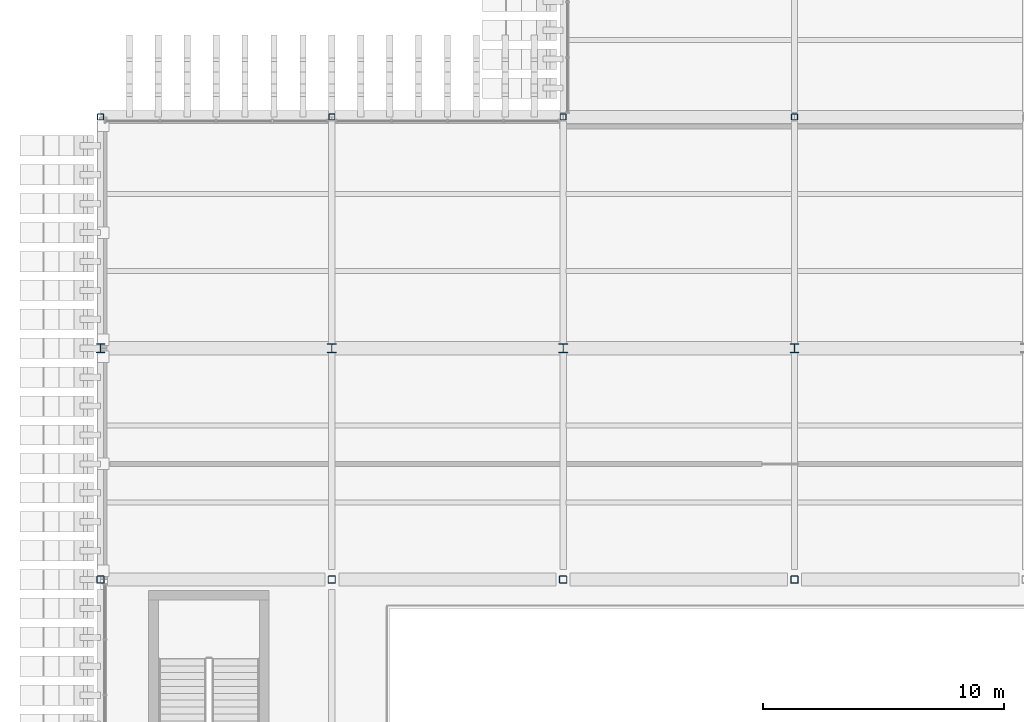
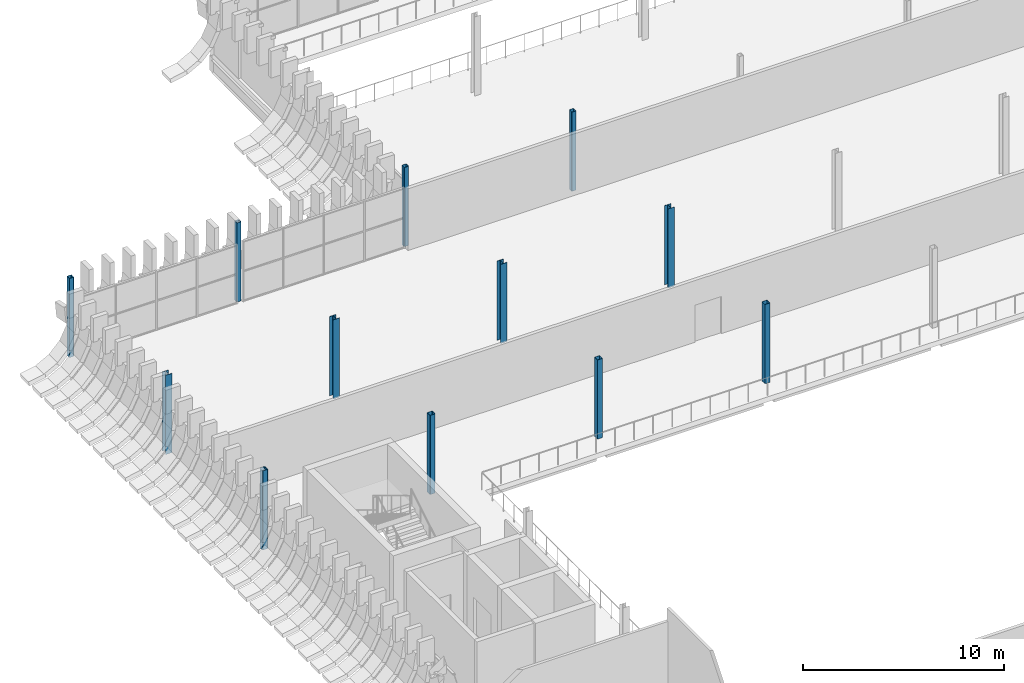
# One storey, part 6 of 100: 12 columns.
"""IFC4 building model written with IfcOpenShell, lengths in metres."""

import ifcopenshell
import ifcopenshell.guid

model = None  # the IFC model being written
_history = None  # IfcOwnerHistory: only IFC2X3 demands one
_inside = {}  # id of a spatial element -> (the spatial element, [elements in it])
_under = {}  # id of a project, library or spatial element -> (it, [spatial elements below it])
_declared = {}  # id of a project -> (the project, [libraries it declares])
_typed = {}  # id of a type object -> (the type object, [elements of that type])
_made_of = {}  # id of a material, layer set ... -> (it, [elements and type objects made of it])


def new_model(schema):
    """Start an empty IFC model of exactly this schema.

    Asked for "IFC4X3", IfcOpenShell would pick the latest addendum, in which some entities
    have other attributes; the version numbers below select the first issue.
    IFC2X3 requires an IfcOwnerHistory on every rooted entity: one is made here for all.
    """
    global model, _history
    if schema == "IFC4X3":
        model = ifcopenshell.file(schema_version=(4, 3, 0, 0))
    else:
        model = ifcopenshell.file(schema=schema)
    _inside.clear()
    _under.clear()
    _declared.clear()
    _typed.clear()
    _made_of.clear()
    _history = None
    if model.schema == "IFC2X3":
        org = make("IfcOrganization", Name="unknown")
        user = make(
            "IfcPersonAndOrganization",
            ThePerson=make("IfcPerson", FamilyName="unknown"),
            TheOrganization=org,
        )
        app = make(
            "IfcApplication",
            ApplicationDeveloper=org,
            Version="unknown",
            ApplicationFullName="unknown",
            ApplicationIdentifier="unknown",
        )
        _history = make(
            "IfcOwnerHistory",
            OwningUser=user,
            OwningApplication=app,
            ChangeAction="ADDED",
            CreationDate=0,
        )
    return model


def make(cls, **values):
    """One entity of the class cls with the attributes given. An attribute that is None is left unset."""
    return model.create_entity(
        cls, **{name: value for name, value in values.items() if value is not None}
    )


def rooted(cls, **values):
    """An entity with a GlobalId (a new one), such as an element, a storey or a relation."""
    return make(cls, GlobalId=ifcopenshell.guid.new(), OwnerHistory=_history, **values)


def si_unit(unit_type, name, prefix=None):
    """IfcSIUnit, for example si_unit("LENGTHUNIT", "METRE", prefix="MILLI")."""
    return make("IfcSIUnit", UnitType=unit_type, Prefix=prefix, Name=name)


def assignment(units):
    """IfcUnitAssignment: the units of a project."""
    return None if units is None else make("IfcUnitAssignment", Units=units)


def point(xyz):
    """IfcCartesianPoint."""
    return None if xyz is None else make("IfcCartesianPoint", Coordinates=xyz)


def direction(xyz):
    """IfcDirection."""
    return None if xyz is None else make("IfcDirection", DirectionRatios=xyz)


def frame(location, z_axis=None, x_axis=None):
    """IfcAxis2Placement3D, a coordinate frame: its origin and axes. An axis left out is left unset."""
    return make(
        "IfcAxis2Placement3D",
        Location=point(location),
        Axis=direction(z_axis),
        RefDirection=direction(x_axis),
    )


def frame_2d(location, x_axis=None):
    """IfcAxis2Placement2D, a coordinate frame in the plane: its origin and x axis."""
    return make(
        "IfcAxis2Placement2D", Location=point(location), RefDirection=direction(x_axis)
    )


def origin():
    """The frame at (0, 0, 0) with its axes left unset."""
    return frame((0.0, 0.0, 0.0))


def origin_2d():
    """The frame at (0, 0) in the plane with its x axis left unset."""
    return frame_2d((0.0, 0.0))


def place(relative_to, where):
    """IfcLocalPlacement: puts the frame where relative to a parent placement (None: the world)."""
    return make(
        "IfcLocalPlacement", PlacementRelTo=relative_to, RelativePlacement=where
    )


def context(
    kind, dimensions, precision=None, world=None, true_north=None, identifier=None
):
    """IfcGeometricRepresentationContext, for example the 3D "Model" context."""
    return make(
        "IfcGeometricRepresentationContext",
        ContextIdentifier=identifier,
        ContextType=kind,
        CoordinateSpaceDimension=dimensions,
        Precision=precision,
        WorldCoordinateSystem=world,
        TrueNorth=true_north,
    )


def subcontext(parent, identifier, kind, view, scale=None):
    """IfcGeometricRepresentationSubContext, for example "Body" below "Model"."""
    return make(
        "IfcGeometricRepresentationSubContext",
        ContextIdentifier=identifier,
        ContextType=kind,
        ParentContext=parent,
        TargetScale=scale,
        TargetView=view,
    )


def project(units=None, contexts=None):
    """IfcProject with its units and contexts."""
    return rooted(
        "IfcProject",
        Name="project",
        RepresentationContexts=contexts,
        UnitsInContext=assignment(units),
    )


def spatial(cls, under=None, at=None, **own):
    """A site, building, storey or space (cls), placed at a placement, below another one or the project."""
    s = rooted(cls, ObjectPlacement=at, **own)
    if under is not None:
        _under.setdefault(under.id(), (under, []))[1].append(s)
    return s


def profile(cls, at=None, kind="AREA", **sizes):
    """A parametric profile (cls). Its sizes go by their IFC names, for example OverallWidth=200.0."""
    return make(cls, ProfileType=kind, Position=at, **sizes)


def hollow_rectangle(**sizes):
    """IfcRectangleHollowProfileDef."""
    return profile("IfcRectangleHollowProfileDef", **sizes)


def i_section(**sizes):
    """IfcIShapeProfileDef."""
    return profile("IfcIShapeProfileDef", **sizes)


def extrude(swept, where, along, depth):
    """IfcExtrudedAreaSolid: the profile swept, set in the frame where, extruded along a direction by depth."""
    return make(
        "IfcExtrudedAreaSolid",
        SweptArea=swept,
        Position=where,
        ExtrudedDirection=direction(along),
        Depth=depth,
    )


def shape(context_of_items, identifier, shape_type, items):
    """IfcShapeRepresentation: the items that make up one representation, for example the "Body"."""
    return make(
        "IfcShapeRepresentation",
        ContextOfItems=context_of_items,
        RepresentationIdentifier=identifier,
        RepresentationType=shape_type,
        Items=items,
    )


def material(Name=None, Category=None):
    """IfcMaterial."""
    return make("IfcMaterial", Name=Name, Category=Category)


def material_profile(
    of_material, cross_section, Name=None, Category=None, Priority=None
):
    """IfcMaterialProfile: a cross section and its material."""
    return make(
        "IfcMaterialProfile",
        Name=Name,
        Material=of_material,
        Profile=cross_section,
        Priority=Priority,
        Category=Category,
    )


def profile_set(profiles, Name=None, composite=None):
    """IfcMaterialProfileSet."""
    return make(
        "IfcMaterialProfileSet",
        Name=Name,
        MaterialProfiles=profiles,
        CompositeProfile=composite,
    )


def made_of(thing, what):
    """Note that an element or type object is made of a material, layer set ...; save() writes the relation."""
    if what is not None:
        _made_of.setdefault(what.id(), (what, []))[1].append(thing)
    return thing


def type_object(cls, material=None, **own):
    """A type object (cls), such as IfcWallType, which elements share."""
    return made_of(rooted(cls, **own), material)


def element(
    cls,
    number,
    at=None,
    inside=None,
    cuts=None,
    type_object=None,
    material=None,
    context=None,
    identifier="Body",
    shape_type=None,
    held_by="IfcProductDefinitionShape",
    body=None,
    shapes=None,
    **own,
):
    """One element of the class cls, such as IfcWall. Its Tag is "e" and its number.

    at: its placement. inside: the storey or other place that contains it. cuts: it is an
    opening in that element (IfcRelVoidsElement). A single representation is given by context,
    identifier, shape_type and body (its items); several are given by shapes. held_by: the class
    of the entity that holds the representations. save() writes the other relations.
    """
    e = rooted(cls, Tag="e%d" % number, ObjectPlacement=at, **own)
    if body is not None:
        shapes = [shape(context, identifier, shape_type, body)]
    if shapes is not None:
        e.Representation = make(held_by, Representations=shapes)
    if inside is not None:
        _inside.setdefault(inside.id(), (inside, []))[1].append(e)
    if cuts is not None:
        rooted(
            "IfcRelVoidsElement", RelatingBuildingElement=cuts, RelatedOpeningElement=e
        )
    if type_object is not None:
        _typed.setdefault(type_object.id(), (type_object, []))[1].append(e)
    return made_of(e, material)


def aggregate(whole, parts):
    """IfcRelAggregates: a whole, such as a stair, and the parts it consists of."""
    return rooted("IfcRelAggregates", RelatingObject=whole, RelatedObjects=parts)


def save(model, path):
    """Write the relations noted so far, then the file.

    IfcRelAggregates (storeys below a building ...), IfcRelContainedInSpatialStructure (elements
    in a storey), IfcRelDefinesByType, IfcRelAssociatesMaterial and IfcRelDeclares: one each for
    every whole, place, type object, material and project.
    """
    for whole, parts in _under.values():
        aggregate(whole, parts)
    for where, things in _inside.values():
        rooted(
            "IfcRelContainedInSpatialStructure",
            RelatedElements=things,
            RelatingStructure=where,
        )
    for kind, things in _typed.values():
        rooted("IfcRelDefinesByType", RelatedObjects=things, RelatingType=kind)
    for what, things in _made_of.values():
        rooted("IfcRelAssociatesMaterial", RelatedObjects=things, RelatingMaterial=what)
    for by, libraries in _declared.values():
        rooted("IfcRelDeclares", RelatingContext=by, RelatedDefinitions=libraries)
    model.write(path)


model = new_model("IFC4")

# Units and contexts
model_context = context("Model", 3, precision=1e-05, world=origin(), true_north=direction((0.0, 1.0)))
body_context = subcontext(model_context, "Body", "Model", "MODEL_VIEW")
ifc_project = project(units=[si_unit("LENGTHUNIT", "METRE"), si_unit("AREAUNIT", "SQUARE_METRE"), si_unit("VOLUMEUNIT", "CUBIC_METRE"), si_unit("PLANEANGLEUNIT", "RADIAN"), si_unit("MASSUNIT", "GRAM", prefix="KILO")], contexts=[model_context])

# Site, building, storey
site_placement = place(None, origin())
site = spatial("IfcSite", under=ifc_project, at=site_placement, CompositionType="ELEMENT")
building_placement = place(site_placement, origin())
building = spatial("IfcBuilding", under=site, at=building_placement, Name="Caelomonte Colonnade Arena", CompositionType="ELEMENT")
storey_placement = place(building_placement, origin())
storey = spatial("IfcBuildingStorey", under=building, at=storey_placement, Name="L00", CompositionType="ELEMENT", Elevation=0.0)

# Columns
ifc_material_1 = material(Name="Steel ASTM A500 Grade C", Category="steel")
ifc_material_profile_1 = material_profile(ifc_material_1, hollow_rectangle(XDim=0.25390625, YDim=0.25390625, WallThickness=0.0126953125, InnerFilletRadius=0.0126953125, OuterFilletRadius=0.025390625, at=origin_2d()), Name="HSS254X254X12.7")
ifc_profile_set_1 = profile_set([ifc_material_profile_1], Name="Steel ASTM A500 Grade C")
column_type_1 = type_object("IfcColumnType", Name="STR-COL-HSS25", PredefinedType="COLUMN", material=ifc_profile_set_1)
for number, where, z_axis, x_axis, name in (
    (1, (0.0, 86.39990234375, 0.0), (0.0, 0.0, 1.0), (1.0, 0.0, 0.0), "L00 column (0.0, 86.4)"),
    (2, (9.60009765625, 86.39990234375, 0.0), (0.0, 0.0, 1.0), (1.0, 0.0, 0.0), "L00 column (9.6, 86.4)"),
    (3, (19.199951171875, 86.39990234375, 0.0), (0.0, 0.0, 1.0), (1.0, 0.0, 0.0), "L00 column (19.2, 86.4)"),
    (4, (28.800048828125, 86.39990234375, 0.0), (0.0, 0.0, 1.0), (1.0, 0.0, 0.0), "L00 column (28.8, 86.4)"),
):
    element("IfcColumn", number, at=place(storey_placement, frame(where, z_axis=z_axis, x_axis=x_axis)), inside=storey, type_object=column_type_1, Name=name, PredefinedType="COLUMN", context=body_context, shape_type="SweptSolid", body=[
        extrude(hollow_rectangle(XDim=0.25390625, YDim=0.25390625, WallThickness=0.0126953125, InnerFilletRadius=0.0126953125, OuterFilletRadius=0.025390625, at=origin_2d()), origin(), (0.0, 0.0, 1.0), 4.800048828125),
    ])
ifc_material_profile_2 = material_profile(ifc_material_1, hollow_rectangle(XDim=0.3046875, YDim=0.3046875, WallThickness=0.0126953125, InnerFilletRadius=0.0126953125, OuterFilletRadius=0.025390625, at=origin_2d()), Name="HSS305X305X12.7")
ifc_profile_set_2 = profile_set([ifc_material_profile_2], Name="Steel ASTM A500 Grade C")
column_type_2 = type_object("IfcColumnType", Name="STR-COL-HSS30", PredefinedType="COLUMN", material=ifc_profile_set_2)
for number, where, z_axis, x_axis, name in (
    (5, (0.0, 67.199951171875, 0.0), (0.0, 0.0, 1.0), (1.0, 0.0, 0.0), "L00 column (0.0, 67.2)"),
    (6, (9.60009765625, 67.199951171875, 0.0), (0.0, 0.0, 1.0), (1.0, 0.0, 0.0), "L00 column (9.6, 67.2)"),
    (7, (19.199951171875, 67.199951171875, 0.0), (0.0, 0.0, 1.0), (1.0, 0.0, 0.0), "L00 column (19.2, 67.2)"),
    (8, (28.800048828125, 67.199951171875, 0.0), (0.0, 0.0, 1.0), (1.0, 0.0, 0.0), "L00 column (28.8, 67.2)"),
):
    element("IfcColumn", number, at=place(storey_placement, frame(where, z_axis=z_axis, x_axis=x_axis)), inside=storey, type_object=column_type_2, Name=name, PredefinedType="COLUMN", context=body_context, shape_type="SweptSolid", body=[
        extrude(hollow_rectangle(XDim=0.3046875, YDim=0.3046875, WallThickness=0.0126953125, InnerFilletRadius=0.0126953125, OuterFilletRadius=0.025390625, at=origin_2d()), origin(), (0.0, 0.0, 1.0), 4.800048828125),
    ])
ifc_material_2 = material(Name="Wide-flange steel ASTM A992 Grade 50", Category="steel")
ifc_material_profile_3 = material_profile(ifc_material_2, i_section(OverallWidth=0.368896484375, OverallDepth=0.356201171875, WebThickness=0.01123046875, FlangeThickness=0.01806640625, FilletRadius=0.01513671875, at=origin_2d()), Name="W14X90")
ifc_profile_set_3 = profile_set([ifc_material_profile_3], Name="Wide-flange steel ASTM A992 Grade 50")
column_type_3 = type_object("IfcColumnType", Name="STR-COL-W14B", PredefinedType="COLUMN", material=ifc_profile_set_3)
for number, where, z_axis, x_axis, name in (
    (9, (0.0, 76.800048828125, 0.0), (0.0, 0.0, 1.0), (1.0, 0.0, 0.0), "L00 column (0.0, 76.8)"),
    (10, (9.60009765625, 76.800048828125, 0.0), (0.0, 0.0, 1.0), (1.0, 0.0, 0.0), "L00 column (9.6, 76.8)"),
    (11, (19.199951171875, 76.800048828125, 0.0), (0.0, 0.0, 1.0), (1.0, 0.0, 0.0), "L00 column (19.2, 76.8)"),
    (12, (28.800048828125, 76.800048828125, 0.0), (0.0, 0.0, 1.0), (1.0, 0.0, 0.0), "L00 column (28.8, 76.8)"),
):
    element("IfcColumn", number, at=place(storey_placement, frame(where, z_axis=z_axis, x_axis=x_axis)), inside=storey, type_object=column_type_3, Name=name, PredefinedType="COLUMN", context=body_context, shape_type="SweptSolid", body=[
        extrude(i_section(OverallWidth=0.368896484375, OverallDepth=0.356201171875, WebThickness=0.01123046875, FlangeThickness=0.01806640625, FilletRadius=0.01513671875, at=origin_2d()), origin(), (0.0, 0.0, 1.0), 4.800048828125),
    ])

save(model, "model.ifc")
